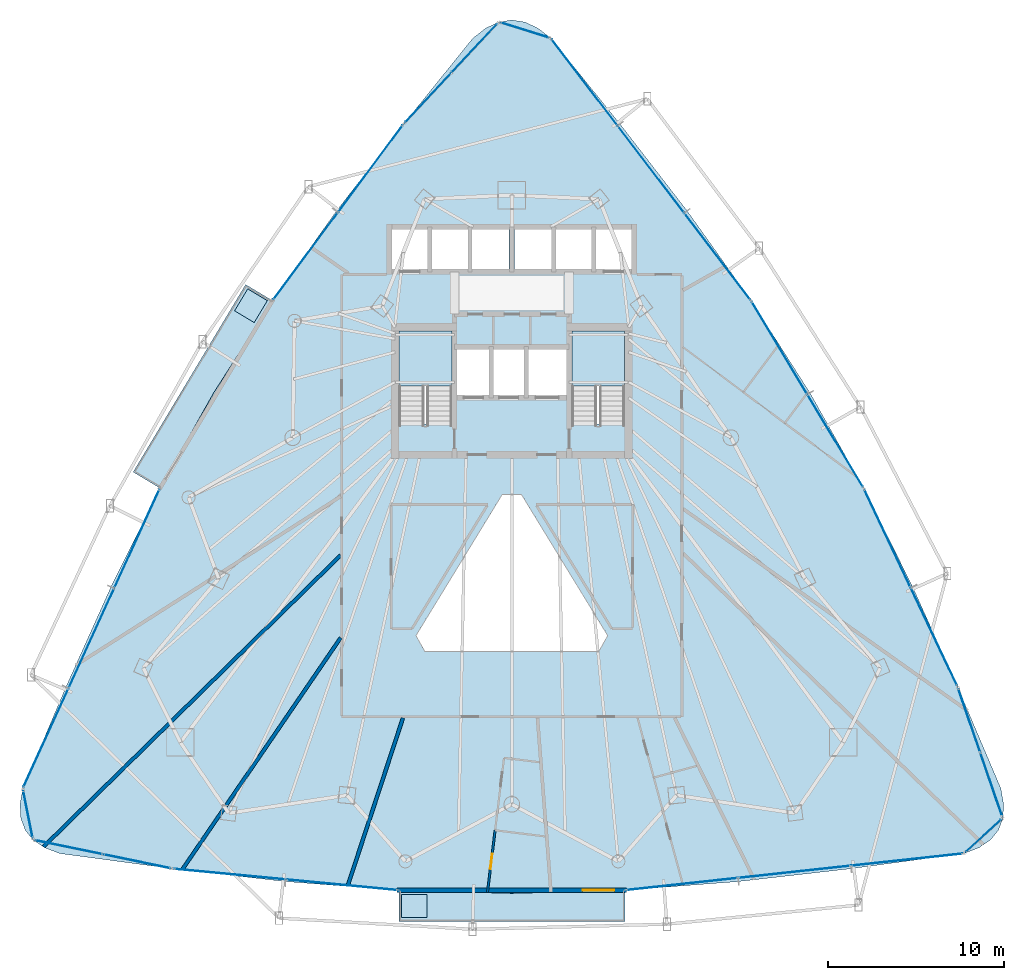
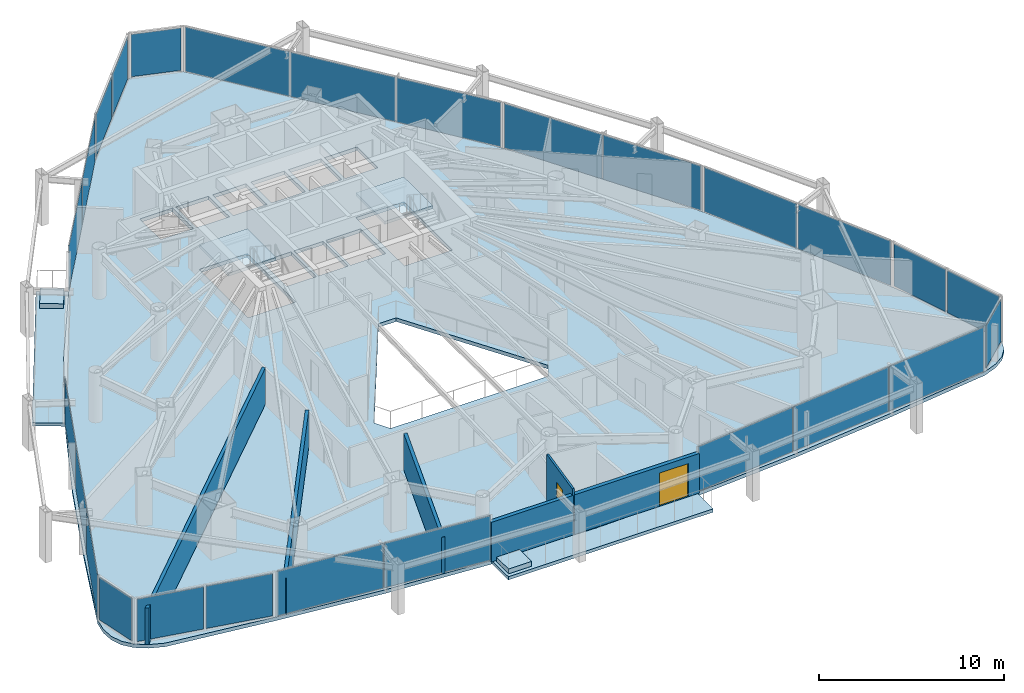
# One storey, part 28 of 34: 26 plates, 7 slabs, 5 walls, 2 doors, 2 openings, 15 elements without a shape of their own.
"""IFC4 building model written with IfcOpenShell, lengths in metres."""

from ifc_helpers import new_model, si_unit, direction, frame, frame_2d, origin, origin_2d, place, context, subcontext, project, spatial, polyline, rectangle, outline, extrude, material, layer, layer_set, type_object, element, fill, aggregate, save


model = new_model("IFC4")

# Units and contexts
model_context = context("Model", 3, precision=1e-05, world=origin(), true_north=direction((0.0, 1.0)))
body_context = subcontext(model_context, "Body", "Model", "MODEL_VIEW")
ifc_project = project(units=[si_unit("LENGTHUNIT", "METRE"), si_unit("AREAUNIT", "SQUARE_METRE"), si_unit("VOLUMEUNIT", "CUBIC_METRE"), si_unit("PLANEANGLEUNIT", "RADIAN"), si_unit("MASSUNIT", "GRAM", prefix="KILO")], contexts=[model_context])

# Site, building, storey
site_placement = place(None, origin())
site = spatial("IfcSite", under=ifc_project, at=site_placement, CompositionType="ELEMENT")
building_placement = place(site_placement, origin())
building = spatial("IfcBuilding", under=site, at=building_placement, Name="Orvanel Arch Residences", CompositionType="ELEMENT")
storey_placement = place(building_placement, frame((0.0, 0.0, 67.550048828125)))
storey = spatial("IfcBuildingStorey", under=building, at=storey_placement, Name="L18", CompositionType="ELEMENT", Elevation=67.550048828125)

# Curtain wall, plates
ifc_material_1 = material(Name="Bronze-anodised aluminium AA6063-T6", Category="aluminium")
ifc_layer_1 = layer(ifc_material_1, 0.179931640625)
ifc_layer_set_1 = layer_set([ifc_layer_1], Name="Bronze-anodised aluminium AA6063-T6")
curtain_wall_type_1 = type_object("IfcCurtainWallType", Name="CW2-LOW-SYS", PredefinedType="NOTDEFINED", material=ifc_layer_set_1)
curtain_wall_1_placement = place(storey_placement, origin())
curtain_wall_1 = element("IfcCurtainWall", 1, at=curtain_wall_1_placement, inside=storey, type_object=curtain_wall_type_1, Name="L18 CW2-LOW-SYS Unitised Curtain Wall", PredefinedType="NOTDEFINED")
ifc_material_2 = material(Name="Double-glazed solar-control low-E safety glass", Category="glass")
ifc_layer_2 = layer(ifc_material_2, 0.028076171875)
ifc_layer_set_2 = layer_set([ifc_layer_2], Name="Double-glazed solar-control low-E safety glass")
plate_type_1 = type_object("IfcPlateType", Name="PNL-GLZ-28", PredefinedType="CURTAIN_PANEL", material=ifc_layer_set_2)
plate_1_placement = place(storey_placement, frame((24.97900390625, 42.90234375, 0.06005859375), z_axis=(0.0, 0.0, 1.0), x_axis=(-0.596000950722, -0.802983727568, 0.0)))
plate_1 = element("IfcPlate", 2, at=plate_1_placement, type_object=plate_type_1, Name="CW-S2 panel 1.1", PredefinedType="CURTAIN_PANEL", context=body_context, shape_type="SweptSolid", body=[
    extrude(rectangle(XDim=6.108154296875, YDim=0.028076171875, at=origin_2d()), origin(), (0.0, 0.0, 1.0), 2.93994140625),
])
plate_2_placement = place(storey_placement, frame((21.296875, 37.941650390625, 0.06005859375), z_axis=(0.0, 0.0, 1.0), x_axis=(-0.596000950722, -0.802983727568, 0.0)))
plate_2 = element("IfcPlate", 3, at=plate_2_placement, type_object=plate_type_1, Name="CW-S2 panel 2.1", PredefinedType="CURTAIN_PANEL", context=body_context, shape_type="SweptSolid", body=[
    extrude(rectangle(XDim=6.108154296875, YDim=0.028076171875, at=origin_2d()), origin(), (0.0, 0.0, 1.0), 2.93994140625),
])
aggregate(curtain_wall_1, [plate_1, plate_2])

curtain_wall_2_placement = place(storey_placement, origin())
curtain_wall_2 = element("IfcCurtainWall", 4, at=curtain_wall_2_placement, inside=storey, type_object=curtain_wall_type_1, Name="L18 CW2-LOW-SYS Unitised Curtain Wall", PredefinedType="NOTDEFINED")
plate_3_placement = place(storey_placement, frame((11.73095703125, 21.910400390625, 0.06005859375), z_axis=(0.0, 0.0, 1.0), x_axis=(-0.415688938305, -0.909506848006, 0.0)))
plate_3 = element("IfcPlate", 5, at=plate_3_placement, type_object=plate_type_1, Name="CW-S2 panel 1.1", PredefinedType="CURTAIN_PANEL", context=body_context, shape_type="SweptSolid", body=[
    extrude(rectangle(XDim=6.1240234375, YDim=0.028076171875, at=origin_2d()), origin(), (0.0, 0.0, 1.0), 2.93994140625),
])
plate_4_placement = place(storey_placement, frame((9.14892578125, 16.260986328125, 0.06005859375), z_axis=(0.0, 0.0, 1.0), x_axis=(-0.415688938305, -0.909506848006, 0.0)))
plate_4 = element("IfcPlate", 6, at=plate_4_placement, type_object=plate_type_1, Name="CW-S2 panel 2.1", PredefinedType="CURTAIN_PANEL", context=body_context, shape_type="SweptSolid", body=[
    extrude(rectangle(XDim=6.158935546875, YDim=0.028076171875, at=origin_2d()), origin(), (0.0, 0.0, 1.0), 2.93994140625),
])
plate_5_placement = place(storey_placement, frame((6.56689453125, 10.611572265625, 0.06005859375), z_axis=(0.0, 0.0, 1.0), x_axis=(-0.415688938305, -0.909506848006, 0.0)))
plate_5 = element("IfcPlate", 7, at=plate_5_placement, type_object=plate_type_1, Name="CW-S2 panel 3.1", PredefinedType="CURTAIN_PANEL", context=body_context, shape_type="SweptSolid", body=[
    extrude(rectangle(XDim=6.1240234375, YDim=0.028076171875, at=origin_2d()), origin(), (0.0, 0.0, 1.0), 2.93994140625),
])
aggregate(curtain_wall_2, [plate_3, plate_4, plate_5])

curtain_wall_3_placement = place(storey_placement, origin())
curtain_wall_3 = element("IfcCurtainWall", 8, at=curtain_wall_3_placement, inside=storey, type_object=curtain_wall_type_1, Name="L18 CW2-LOW-SYS Unitised Curtain Wall", PredefinedType="NOTDEFINED")
plate_6_placement = place(storey_placement, frame((16.994873046875, 2.8798828125, 0.06005859375), z_axis=(0.0, 0.0, 1.0), x_axis=(0.995493372806, -0.094831137816, 0.0)))
plate_6 = element("IfcPlate", 9, at=plate_6_placement, type_object=plate_type_1, Name="CW-S2 panel 1.1", PredefinedType="CURTAIN_PANEL", context=body_context, shape_type="SweptSolid", body=[
    extrude(rectangle(XDim=6.31689453125, YDim=0.028076171875, at=origin_2d()), origin(), (0.0, 0.0, 1.0), 2.93994140625),
])
plate_7_placement = place(storey_placement, frame((23.35302734375, 2.274169921875, 0.06005859375), z_axis=(0.0, 0.0, 1.0), x_axis=(0.995493372806, -0.094831137816, 0.0)))
plate_7 = element("IfcPlate", 10, at=plate_7_placement, type_object=plate_type_1, Name="CW-S2 panel 2.1", PredefinedType="CURTAIN_PANEL", context=body_context, shape_type="SweptSolid", body=[
    extrude(rectangle(XDim=6.31689453125, YDim=0.028076171875, at=origin_2d()), origin(), (0.0, 0.0, 1.0), 2.93994140625),
])
aggregate(curtain_wall_3, [plate_6, plate_7])

curtain_wall_4_placement = place(storey_placement, origin())
curtain_wall_4 = element("IfcCurtainWall", 11, at=curtain_wall_4_placement, inside=storey, type_object=curtain_wall_type_1, Name="L18 CW2-LOW-SYS Unitised Curtain Wall", PredefinedType="NOTDEFINED")
plate_8_placement = place(storey_placement, frame((42.650146484375, 2.31689453125, 0.06005859375), z_axis=(0.0, 0.0, 1.0), x_axis=(0.994171399622, 0.107811076303, 0.0)))
plate_8 = element("IfcPlate", 12, at=plate_8_placement, type_object=plate_type_1, Name="CW-S2 panel 1.1", PredefinedType="CURTAIN_PANEL", context=body_context, shape_type="SweptSolid", body=[
    extrude(rectangle(XDim=6.332275390625, YDim=0.028076171875, at=origin_2d()), origin(), (0.0, 0.0, 1.0), 2.93994140625),
])
plate_9_placement = place(storey_placement, frame((49.032470703125, 3.009033203125, 0.06005859375), z_axis=(0.0, 0.0, 1.0), x_axis=(0.994171399622, 0.107811076303, 0.0)))
plate_9 = element("IfcPlate", 13, at=plate_9_placement, type_object=plate_type_1, Name="CW-S2 panel 2.1", PredefinedType="CURTAIN_PANEL", context=body_context, shape_type="SweptSolid", body=[
    extrude(rectangle(XDim=6.3671875, YDim=0.028076171875, at=origin_2d()), origin(), (0.0, 0.0, 1.0), 2.93994140625),
])
plate_10_placement = place(storey_placement, frame((55.414794921875, 3.701171875, 0.06005859375), z_axis=(0.0, 0.0, 1.0), x_axis=(0.994171399622, 0.107811076303, 0.0)))
plate_10 = element("IfcPlate", 14, at=plate_10_placement, type_object=plate_type_1, Name="CW-S2 panel 3.1", PredefinedType="CURTAIN_PANEL", context=body_context, shape_type="SweptSolid", body=[
    extrude(rectangle(XDim=6.332275390625, YDim=0.028076171875, at=origin_2d()), origin(), (0.0, 0.0, 1.0), 2.93994140625),
])
aggregate(curtain_wall_4, [plate_8, plate_9, plate_10])

curtain_wall_5_placement = place(storey_placement, origin())
curtain_wall_5 = element("IfcCurtainWall", 15, at=curtain_wall_5_placement, inside=storey, type_object=curtain_wall_type_1, Name="L18 CW2-LOW-SYS Unitised Curtain Wall", PredefinedType="NOTDEFINED")
plate_11_placement = place(storey_placement, frame((56.947509765625, 16.350830078125, 0.06005859375), z_axis=(0.0, 0.0, 1.0), x_axis=(-0.427795745036, 0.903875434189, 0.0)))
plate_11 = element("IfcPlate", 16, at=plate_11_placement, type_object=plate_type_1, Name="CW-S2 panel 1.1", PredefinedType="CURTAIN_PANEL", context=body_context, shape_type="SweptSolid", body=[
    extrude(rectangle(XDim=6.108154296875, YDim=0.028076171875, at=origin_2d()), origin(), (0.0, 0.0, 1.0), 2.93994140625),
])
plate_12_placement = place(storey_placement, frame((54.304443359375, 21.935302734375, 0.06005859375), z_axis=(0.0, 0.0, 1.0), x_axis=(-0.427795745036, 0.903875434189, 0.0)))
plate_12 = element("IfcPlate", 17, at=plate_12_placement, type_object=plate_type_1, Name="CW-S2 panel 2.1", PredefinedType="CURTAIN_PANEL", context=body_context, shape_type="SweptSolid", body=[
    extrude(rectangle(XDim=6.108154296875, YDim=0.028076171875, at=origin_2d()), origin(), (0.0, 0.0, 1.0), 2.93994140625),
])
aggregate(curtain_wall_5, [plate_11, plate_12])

curtain_wall_6_placement = place(storey_placement, origin())
curtain_wall_6 = element("IfcCurtainWall", 18, at=curtain_wall_6_placement, inside=storey, type_object=curtain_wall_type_1, Name="L18 CW2-LOW-SYS Unitised Curtain Wall", PredefinedType="NOTDEFINED")
plate_13_placement = place(storey_placement, frame((51.349609375, 27.46044921875, 0.06005859375), z_axis=(0.0, 0.0, 1.0), x_axis=(-0.514400628533, 0.857549994674, 0.0)))
plate_13 = element("IfcPlate", 19, at=plate_13_placement, type_object=plate_type_1, Name="CW-S2 panel 1.1", PredefinedType="CURTAIN_PANEL", context=body_context, shape_type="SweptSolid", body=[
    extrude(rectangle(XDim=6.078857421875, YDim=0.028076171875, at=origin_2d()), origin(), (0.0, 0.0, 1.0), 2.93994140625),
])
plate_14_placement = place(storey_placement, frame((48.1865234375, 32.7333984375, 0.06005859375), z_axis=(0.0, 0.0, 1.0), x_axis=(-0.514400628533, 0.857549994674, 0.0)))
plate_14 = element("IfcPlate", 20, at=plate_14_placement, type_object=plate_type_1, Name="CW-S2 panel 2.1", PredefinedType="CURTAIN_PANEL", context=body_context, shape_type="SweptSolid", body=[
    extrude(rectangle(XDim=6.078857421875, YDim=0.028076171875, at=origin_2d()), origin(), (0.0, 0.0, 1.0), 2.93994140625),
])
aggregate(curtain_wall_6, [plate_13, plate_14])

curtain_wall_7_placement = place(storey_placement, origin())
curtain_wall_7 = element("IfcCurtainWall", 21, at=curtain_wall_7_placement, inside=storey, type_object=curtain_wall_type_1, Name="L18 CW2-LOW-SYS Unitised Curtain Wall", PredefinedType="NOTDEFINED")
plate_15_placement = place(storey_placement, frame((44.664794921875, 37.922607421875, 0.06005859375), z_axis=(0.0, 0.0, 1.0), x_axis=(-0.606742733122, 0.794898267581, 0.0)))
plate_15 = element("IfcPlate", 22, at=plate_15_placement, type_object=plate_type_1, Name="CW-S2 panel 1.1", PredefinedType="CURTAIN_PANEL", context=body_context, shape_type="SweptSolid", body=[
    extrude(rectangle(XDim=6.123779296875, YDim=0.028076171875, at=origin_2d()), origin(), (0.0, 0.0, 1.0), 2.93994140625),
])
plate_16_placement = place(storey_placement, frame((40.89599609375, 42.860107421875, 0.06005859375), z_axis=(0.0, 0.0, 1.0), x_axis=(-0.606742733122, 0.794898267581, 0.0)))
plate_16 = element("IfcPlate", 23, at=plate_16_placement, type_object=plate_type_1, Name="CW-S2 panel 2.1", PredefinedType="CURTAIN_PANEL", context=body_context, shape_type="SweptSolid", body=[
    extrude(rectangle(XDim=6.158935546875, YDim=0.028076171875, at=origin_2d()), origin(), (0.0, 0.0, 1.0), 2.93994140625),
])
plate_17_placement = place(storey_placement, frame((37.127197265625, 47.79736328125, 0.06005859375), z_axis=(0.0, 0.0, 1.0), x_axis=(-0.606742733122, 0.794898267581, 0.0)))
plate_17 = element("IfcPlate", 24, at=plate_17_placement, type_object=plate_type_1, Name="CW-S2 panel 3.1", PredefinedType="CURTAIN_PANEL", context=body_context, shape_type="SweptSolid", body=[
    extrude(rectangle(XDim=6.123779296875, YDim=0.028076171875, at=origin_2d()), origin(), (0.0, 0.0, 1.0), 2.93994140625),
])
aggregate(curtain_wall_7, [plate_15, plate_16, plate_17])

# Curtain wall, plate
ifc_layer_3 = layer(ifc_material_1, 0.18994140625)
ifc_layer_set_3 = layer_set([ifc_layer_3], Name="Bronze-anodised aluminium AA6063-T6")
curtain_wall_type_2 = type_object("IfcCurtainWallType", Name="CW5-CRN-SYS", PredefinedType="NOTDEFINED", material=ifc_layer_set_3)
curtain_wall_8_placement = place(storey_placement, origin())
curtain_wall_8 = element("IfcCurtainWall", 25, at=curtain_wall_8_placement, inside=storey, type_object=curtain_wall_type_2, Name="L18 CW5-CRN-SYS Unitised Curtain Wall", PredefinedType="NOTDEFINED")
ifc_layer_4 = layer(ifc_material_2, 0.031982421875)
ifc_layer_set_4 = layer_set([ifc_layer_4], Name="Double-glazed solar-control low-E safety glass")
plate_type_2 = type_object("IfcPlateType", Name="PNL-GLZ-32", PredefinedType="CURTAIN_PANEL", material=ifc_layer_set_4)
plate_18_placement = place(storey_placement, frame((33.738525390625, 50.762451171875, 0.1298828125), z_axis=(0.0, 0.0, 1.0), x_axis=(-0.954846451837, 0.297099736477, 0.0)))
plate_18 = element("IfcPlate", 26, at=plate_18_placement, type_object=plate_type_2, Name="CW-S5 panel 1.1", PredefinedType="CURTAIN_PANEL", context=body_context, shape_type="SweptSolid", body=[
    extrude(rectangle(XDim=2.7529296875, YDim=0.031982421875, at=origin_2d()), origin(), (0.0, 0.0, 1.0), 2.800048828125),
])
aggregate(curtain_wall_8, [plate_18])

# Curtain wall, plates
curtain_wall_9_placement = place(storey_placement, origin())
curtain_wall_9 = element("IfcCurtainWall", 27, at=curtain_wall_9_placement, inside=storey, type_object=curtain_wall_type_2, Name="L18 CW5-CRN-SYS Unitised Curtain Wall", PredefinedType="NOTDEFINED")
plate_19_placement = place(storey_placement, frame((30.877197265625, 49.73828125, 0.1298828125), z_axis=(0.0, 0.0, 1.0), x_axis=(-0.682340840105, -0.731034183828, 0.0)))
plate_19 = element("IfcPlate", 28, at=plate_19_placement, type_object=plate_type_2, Name="CW-S5 panel 1.1", PredefinedType="CURTAIN_PANEL", context=body_context, shape_type="SweptSolid", body=[
    extrude(rectangle(XDim=3.718017578125, YDim=0.031982421875, at=origin_2d()), origin(), (0.0, 0.0, 1.0), 2.800048828125),
])
plate_20_placement = place(storey_placement, frame((28.23779296875, 46.91064453125, 0.1298828125), z_axis=(0.0, 0.0, 1.0), x_axis=(-0.682340840105, -0.731034183828, 0.0)))
plate_20 = element("IfcPlate", 29, at=plate_20_placement, type_object=plate_type_2, Name="CW-S5 panel 2.1", PredefinedType="CURTAIN_PANEL", context=body_context, shape_type="SweptSolid", body=[
    extrude(rectangle(XDim=3.718017578125, YDim=0.031982421875, at=origin_2d()), origin(), (0.0, 0.0, 1.0), 2.800048828125),
])
aggregate(curtain_wall_9, [plate_19, plate_20])

# Curtain wall, plate
curtain_wall_10_placement = place(storey_placement, origin())
curtain_wall_10 = element("IfcCurtainWall", 30, at=curtain_wall_10_placement, inside=storey, type_object=curtain_wall_type_2, Name="L18 CW5-CRN-SYS Unitised Curtain Wall", PredefinedType="NOTDEFINED")
plate_21_placement = place(storey_placement, frame((5.548583984375, 6.284423828125, 0.1298828125), z_axis=(0.0, 0.0, 1.0), x_axis=(0.195723363495, -0.980659148217, 0.0)))
plate_21 = element("IfcPlate", 31, at=plate_21_placement, type_object=plate_type_2, Name="CW-S5 panel 1.1", PredefinedType="CURTAIN_PANEL", context=body_context, shape_type="SweptSolid", body=[
    extrude(rectangle(XDim=2.637939453125, YDim=0.031982421875, at=origin_2d()), origin(), (0.0, 0.0, 1.0), 2.800048828125),
])
aggregate(curtain_wall_10, [plate_21])

# Curtain wall, plates
curtain_wall_11_placement = place(storey_placement, origin())
curtain_wall_11 = element("IfcCurtainWall", 32, at=curtain_wall_11_placement, inside=storey, type_object=curtain_wall_type_2, Name="L18 CW5-CRN-SYS Unitised Curtain Wall", PredefinedType="NOTDEFINED")
plate_22_placement = place(storey_placement, frame((7.866943359375, 4.405517578125, 0.1298828125), z_axis=(0.0, 0.0, 1.0), x_axis=(0.979323283522, -0.202301523353, 0.0)))
plate_22 = element("IfcPlate", 33, at=plate_22_placement, type_object=plate_type_2, Name="CW-S5 panel 1.1", PredefinedType="CURTAIN_PANEL", context=body_context, shape_type="SweptSolid", body=[
    extrude(rectangle(XDim=3.798583984375, YDim=0.031982421875, at=origin_2d()), origin(), (0.0, 0.0, 1.0), 2.800048828125),
])
plate_23_placement = place(storey_placement, frame((11.734130859375, 3.606689453125, 0.1298828125), z_axis=(0.0, 0.0, 1.0), x_axis=(0.979323283522, -0.202301523353, 0.0)))
plate_23 = element("IfcPlate", 34, at=plate_23_placement, type_object=plate_type_2, Name="CW-S5 panel 2.1", PredefinedType="CURTAIN_PANEL", context=body_context, shape_type="SweptSolid", body=[
    extrude(rectangle(XDim=3.798583984375, YDim=0.031982421875, at=origin_2d()), origin(), (0.0, 0.0, 1.0), 2.800048828125),
])
aggregate(curtain_wall_11, [plate_22, plate_23])

# Curtain wall, plate
curtain_wall_12_placement = place(storey_placement, origin())
curtain_wall_12 = element("IfcCurtainWall", 35, at=curtain_wall_12_placement, inside=storey, type_object=curtain_wall_type_2, Name="L18 CW5-CRN-SYS Unitised Curtain Wall", PredefinedType="NOTDEFINED")
plate_24_placement = place(storey_placement, frame((59.75439453125, 5.053466796875, 0.1298828125), z_axis=(0.0, 0.0, 1.0), x_axis=(0.73998625585, 0.672621989793, 0.0)))
plate_24 = element("IfcPlate", 36, at=plate_24_placement, type_object=plate_type_2, Name="CW-S5 panel 1.1", PredefinedType="CURTAIN_PANEL", context=body_context, shape_type="SweptSolid", body=[
    extrude(rectangle(XDim=2.63916015625, YDim=0.031982421875, at=origin_2d()), origin(), (0.0, 0.0, 1.0), 2.800048828125),
])
aggregate(curtain_wall_12, [plate_24])

# Curtain wall, plates
curtain_wall_13_placement = place(storey_placement, origin())
curtain_wall_13 = element("IfcCurtainWall", 37, at=curtain_wall_13_placement, inside=storey, type_object=curtain_wall_type_2, Name="L18 CW5-CRN-SYS Unitised Curtain Wall", PredefinedType="NOTDEFINED")
plate_25_placement = place(storey_placement, frame((60.2001953125, 7.96337890625, 0.1298828125), z_axis=(0.0, 0.0, 1.0), x_axis=(-0.325165297425, 0.945657194416, 0.0)))
plate_25 = element("IfcPlate", 38, at=plate_25_placement, type_object=plate_type_2, Name="CW-S5 panel 1.1", PredefinedType="CURTAIN_PANEL", context=body_context, shape_type="SweptSolid", body=[
    extrude(rectangle(XDim=3.696044921875, YDim=0.031982421875, at=origin_2d()), origin(), (0.0, 0.0, 1.0), 2.800048828125),
])
plate_26_placement = place(storey_placement, frame((58.94970703125, 11.6005859375, 0.1298828125), z_axis=(0.0, 0.0, 1.0), x_axis=(-0.325165297425, 0.945657194416, 0.0)))
plate_26 = element("IfcPlate", 39, at=plate_26_placement, type_object=plate_type_2, Name="CW-S5 panel 2.1", PredefinedType="CURTAIN_PANEL", context=body_context, shape_type="SweptSolid", body=[
    extrude(rectangle(XDim=3.696044921875, YDim=0.031982421875, at=origin_2d()), origin(), (0.0, 0.0, 1.0), 2.800048828125),
])
aggregate(curtain_wall_13, [plate_25, plate_26])

# Slabs
ifc_material_3 = material(Name="Concrete N40 (40 MPa)", Category="concrete")
ifc_layer_5 = layer(ifc_material_3, 0.215087890625)
ifc_layer_set_5 = layer_set([ifc_layer_5], Name="Concrete N40 (40 MPa)")
slab_type_1 = type_object("IfcSlabType", Name="SLB-BAL-215", PredefinedType="FLOOR", material=ifc_layer_set_5)
slab_1_placement = place(storey_placement, frame((0.0, 0.0, -0.215087890625)))
element("IfcSlab", 40, at=slab_1_placement, inside=storey, type_object=slab_type_1, Name="L18 Cantilevered Balcony Slab Face 1", PredefinedType="FLOOR", context=body_context, shape_type="SweptSolid", body=[
    extrude(outline(polyline([(17.89697265625, 36.33203125), (11.514892578125, 25.693115234375), (13.041015625, 24.777099609375), (16.0849609375, 30.18505859375), (19.423095703125, 35.4169921875), (17.89697265625, 36.33203125)])), origin(), (0.0, 0.0, 1.0), 0.215087890625),
])
slab_2_placement = place(storey_placement, frame((0.0, 0.0, -0.215087890625)))
element("IfcSlab", 41, at=slab_2_placement, inside=storey, type_object=slab_type_1, Name="L18 Cantilevered Balcony Slab Face 2", PredefinedType="FLOOR", context=body_context, shape_type="SweptSolid", body=[
    extrude(outline(polyline([(26.5869140625, 0.18603515625), (39.4130859375, 0.18603515625), (39.4130859375, 1.966064453125), (33.0, 1.7939453125), (26.5869140625, 1.966064453125), (26.5869140625, 0.18603515625)])), origin(), (0.0, 0.0, 1.0), 0.215087890625),
])

# Stair, slab
ifc_material_4 = material(Name="Precast concrete N50 (50 MPa)", Category="concrete")
stair_type = type_object("IfcStairType", Name="STR-DOG-184", PredefinedType="USERDEFINED", material=ifc_material_4)
stair_1_placement = place(storey_placement, origin())
stair_1 = element("IfcStair", 42, at=stair_1_placement, inside=storey, type_object=stair_type, Name="L18 Fire-Isolated Core Exit Stair 1", ObjectType="TWO_RETURN_STAIR", PredefinedType="USERDEFINED")
ifc_layer_6 = layer(ifc_material_3, 0.199951171875)
ifc_layer_set_6 = layer_set([ifc_layer_6], Name="Concrete N40 (40 MPa)")
slab_type_2 = type_object("IfcSlabType", Name="SLB-LND-200", PredefinedType="LANDING", material=ifc_layer_set_6)
slab_3_placement = place(storey_placement, frame((0.0, 0.0, 1.449951171875)))
slab_3 = element("IfcSlab", 43, at=slab_3_placement, type_object=slab_type_2, Name="ST-1 landing 1", PredefinedType="LANDING", context=body_context, shape_type="SweptSolid", body=[
    extrude(outline(polyline([(29.60009765625, 30.56005859375), (29.60009765625, 33.699951171875), (26.60009765625, 33.699951171875), (26.60009765625, 30.56005859375), (29.60009765625, 30.56005859375)])), origin(), (0.0, 0.0, 1.0), 0.199951171875),
])
aggregate(stair_1, [slab_3])

stair_2_placement = place(storey_placement, origin())
stair_2 = element("IfcStair", 44, at=stair_2_placement, inside=storey, type_object=stair_type, Name="L18 Fire-Isolated Core Exit Stair 2", ObjectType="TWO_RETURN_STAIR", PredefinedType="USERDEFINED")
slab_4_placement = place(storey_placement, frame((0.0, 0.0, 1.449951171875)))
slab_4 = element("IfcSlab", 45, at=slab_4_placement, type_object=slab_type_2, Name="ST-2 landing 1", PredefinedType="LANDING", context=body_context, shape_type="SweptSolid", body=[
    extrude(outline(polyline([(39.39990234375, 30.56005859375), (39.39990234375, 33.699951171875), (36.39990234375, 33.699951171875), (36.39990234375, 30.56005859375), (39.39990234375, 30.56005859375)])), origin(), (0.0, 0.0, 1.0), 0.199951171875),
])
aggregate(stair_2, [slab_4])

# Slabs
ifc_material_5 = material(Name="Structural architectural precast concrete N40 (40 MPa) planter", Category="concrete")
ifc_layer_7 = layer(ifc_material_5, 0.320068359375)
ifc_layer_set_7 = layer_set([ifc_layer_7], Name="Structural architectural precast concrete N40 (40 MPa) planter")
slab_type_3 = type_object("IfcSlabType", Name="SLB-PLN-320", PredefinedType="USERDEFINED", material=ifc_layer_set_7)
slab_5_placement = place(storey_placement, origin())
element("IfcSlab", 46, at=slab_5_placement, inside=storey, type_object=slab_type_3, Name="L18 Balcony TREE PLANTER Face 1", ObjectType="PLANTER", PredefinedType="USERDEFINED", context=body_context, shape_type="SweptSolid", body=[
    extrude(outline(polyline([(18.01708984375, 36.0849609375), (17.27099609375, 34.842041015625), (18.385986328125, 34.173095703125), (19.131103515625, 35.4169921875), (18.01708984375, 36.0849609375)])), origin(), (0.0, 0.0, 1.0), 0.320068359375),
])
slab_6_placement = place(storey_placement, origin())
element("IfcSlab", 47, at=slab_6_placement, inside=storey, type_object=slab_type_3, Name="L18 Balcony TREE PLANTER Face 2", ObjectType="PLANTER", PredefinedType="USERDEFINED", context=body_context, shape_type="SweptSolid", body=[
    extrude(outline(polyline([(26.737060546875, 0.416015625), (28.18701171875, 0.416015625), (28.18701171875, 1.716064453125), (26.737060546875, 1.716064453125), (26.737060546875, 0.416015625)])), origin(), (0.0, 0.0, 1.0), 0.320068359375),
])
ifc_layer_8 = layer(ifc_material_3, 0.239990234375)
ifc_layer_set_8 = layer_set([ifc_layer_8], Name="Concrete N40 (40 MPa)")
slab_type_4 = type_object("IfcSlabType", Name="SLB-TYP-240", PredefinedType="FLOOR", material=ifc_layer_set_8)
slab_7_placement = place(storey_placement, frame((0.0, 0.0, -0.239990234375)))
element("IfcSlab", 48, at=slab_7_placement, inside=storey, type_object=slab_type_4, Name="L18 Tower Floor Slab", PredefinedType="FLOOR", context=body_context, shape_type="SweptSolid", body=[
    extrude(outline(polyline([(35.215087890625, 50.302978515625), (34.47705078125, 50.876953125), (33.738037109375, 51.221923828125), (33.0, 51.3369140625), (32.261962890625, 51.221923828125), (31.52294921875, 50.876953125), (30.784912109375, 50.302978515625), (26.85302734375, 45.427001953125), (23.033935546875, 40.48388671875), (19.423095703125, 35.4169921875), (16.0849609375, 30.18505859375), (13.041015625, 24.777099609375), (10.27001953125, 19.2060546875), (7.70703125, 13.509033203125), (5.257080078125, 7.7451171875), (5.097900390625, 6.842041015625), (5.14306640625, 6.054931640625), (5.389892578125, 5.382080078125), (5.840087890625, 4.823974609375), (6.491943359375, 4.381103515625), (7.347900390625, 4.052001953125), (13.760986328125, 3.18798828125), (20.174072265625, 2.4560546875), (26.5869140625, 1.966064453125), (33.0, 1.7939453125), (39.4130859375, 1.966064453125), (45.825927734375, 2.4560546875), (52.239013671875, 3.18798828125), (58.652099609375, 4.052001953125), (59.508056640625, 4.381103515625), (60.159912109375, 4.823974609375), (60.610107421875, 5.382080078125), (60.85693359375, 6.054931640625), (60.902099609375, 6.842041015625), (60.742919921875, 7.7451171875), (58.29296875, 13.509033203125), (55.72998046875, 19.2060546875), (52.958984375, 24.777099609375), (49.9150390625, 30.18505859375), (46.576904296875, 35.4169921875), (42.966064453125, 40.48388671875), (39.14697265625, 45.427001953125), (35.215087890625, 50.302978515625)]), holes=[polyline([(26.60009765625, 28.429931640625), (26.60009765625, 33.699951171875), (29.60009765625, 33.699951171875), (29.60009765625, 28.429931640625), (26.60009765625, 28.429931640625)]), polyline([(36.39990234375, 28.429931640625), (36.39990234375, 33.699951171875), (39.39990234375, 33.699951171875), (39.39990234375, 28.429931640625), (36.39990234375, 28.429931640625)]), polyline([(29.89990234375, 32.64990234375), (31.75, 32.64990234375), (31.75, 29.949951171875), (29.89990234375, 29.949951171875), (29.89990234375, 32.64990234375)]), polyline([(31.89990234375, 32.64990234375), (33.75, 32.64990234375), (33.75, 29.949951171875), (31.89990234375, 29.949951171875), (31.89990234375, 32.64990234375)]), polyline([(33.89990234375, 32.64990234375), (36.10009765625, 32.64990234375), (36.10009765625, 29.949951171875), (33.89990234375, 29.949951171875), (33.89990234375, 32.64990234375)]), polyline([(26.199951171875, 39.449951171875), (28.25, 39.449951171875), (28.25, 37.199951171875), (26.199951171875, 37.199951171875), (26.199951171875, 39.449951171875)]), polyline([(37.75, 39.449951171875), (39.800048828125, 39.449951171875), (39.800048828125, 37.199951171875), (37.75, 37.199951171875), (37.75, 39.449951171875)]), polyline([(28.449951171875, 39.449951171875), (30.5, 39.449951171875), (30.5, 37.199951171875), (28.449951171875, 37.199951171875), (28.449951171875, 39.449951171875)]), polyline([(35.5, 39.449951171875), (37.550048828125, 39.449951171875), (37.550048828125, 37.199951171875), (35.5, 37.199951171875), (35.5, 39.449951171875)]), polyline([(30.75, 39.449951171875), (32.85009765625, 39.449951171875), (32.85009765625, 37.199951171875), (30.75, 37.199951171875), (30.75, 39.449951171875)]), polyline([(33.14990234375, 39.449951171875), (35.25, 39.449951171875), (35.25, 37.199951171875), (33.14990234375, 37.199951171875), (33.14990234375, 39.449951171875)]), polyline([(38.43994140625, 16.4130859375), (37.93505859375, 15.510986328125), (28.06494140625, 15.510986328125), (27.56005859375, 16.4130859375), (32.448974609375, 24.409912109375), (33.551025390625, 24.409912109375), (38.43994140625, 16.4130859375)])]), origin(), (0.0, 0.0, 1.0), 0.239990234375),
])

# Wall, opening, door
ifc_layer_9 = layer(ifc_material_4, 0.239990234375)
ifc_layer_set_9 = layer_set([ifc_layer_9], Name="Precast concrete N50 (50 MPa)")
wall_type_1 = type_object("IfcWallType", Name="EW-BAL-240", PredefinedType="SOLIDWALL", material=ifc_layer_set_9)
wall_1_placement = place(storey_placement, frame((26.489013671875, 1.966064453125, 0.0), z_axis=(0.0, 0.0, 1.0), x_axis=(1.0, 0.0, 0.0)))
wall_1 = element("IfcWall", 49, at=wall_1_placement, inside=storey, type_object=wall_type_1, Name="L18 Balcony Threshold Wall Face 2", PredefinedType="SOLIDWALL", context=body_context, shape_type="SweptSolid", body=[
    extrude(rectangle(XDim=13.02197265625, YDim=0.239990234375, at=frame_2d((6.510986328125, 0.0))), origin(), (0.0, 0.0, 1.0), 2.6240234375),
])
opening_1_placement = place(wall_1_placement, frame((10.52392578125, 0.0, 0.0)))
opening_1 = element("IfcOpeningElement", 50, at=opening_1_placement, cuts=wall_1, Name="Opening DB-180", PredefinedType="OPENING", context=body_context, shape_type="SweptSolid", body=[
    extrude(rectangle(XDim=1.800048828125, YDim=2.199951171875, at=frame_2d((0.89990234375, 1.10009765625))), frame((0.0, 0.1298828125, 0.0), z_axis=(0.0, -1.0, 0.0), x_axis=(1.0, 0.0, 0.0)), (0.0, 0.0, 1.0), 0.260009765625),
])
door_type_1 = type_object("IfcDoorType", Name="DR-BAL-1800", OperationType="NOTDEFINED", PredefinedType="DOOR", material=ifc_material_1)
door_1_placement = place(opening_1_placement, origin())
door_1 = element("IfcDoor", 51, at=door_1_placement, inside=storey, type_object=door_type_1, Name="DR-L18-BAL-F2 L18 Planted Balcony Access Door Face 2", OperationType="SINGLE_SWING_RIGHT", OverallHeight=2.199951171875, OverallWidth=1.800048828125, PredefinedType="DOOR", context=body_context, shape_type="SweptSolid", body=[
    extrude(rectangle(XDim=1.800048828125, YDim=2.199951171875, at=frame_2d((0.89990234375, 1.10009765625))), frame((0.0, 0.02490234375, 0.0), z_axis=(0.0, -1.0, 0.0), x_axis=(1.0, 0.0, 0.0)), (0.0, 0.0, 1.0), 0.050048828125),
])
fill(opening_1, door_1)

# Walls
ifc_material_6 = material(Name="Fire-rated plasterboard lined steel stud partition", Category="steel")
ifc_layer_10 = layer(ifc_material_6, 0.199951171875)
ifc_layer_set_10 = layer_set([ifc_layer_10], Name="Fire-rated plasterboard lined steel stud partition")
wall_type_2 = type_object("IfcWallType", Name="W-DEM-200", PredefinedType="PARTITIONING", material=ifc_layer_set_10)
wall_2_placement = place(storey_placement, frame((23.2900390625, 20.972900390625, 0.0), z_axis=(0.0, 0.0, 1.0), x_axis=(-0.713831483248, -0.70031750908, 0.0)))
element("IfcWall", 52, at=wall_2_placement, inside=storey, type_object=wall_type_2, Name="L18 Inter-Tenancy Acoustic Demising Wall", PredefinedType="PARTITIONING", context=body_context, shape_type="SweptSolid", body=[
    extrude(rectangle(XDim=23.612060546875, YDim=0.199951171875, at=frame_2d((11.80615234375, 0.0))), origin(), (0.0, 0.0, 1.0), 2.412841796875),
])
wall_3_placement = place(storey_placement, frame((23.2900390625, 16.291015625, 0.0), z_axis=(0.0, 0.0, 1.0), x_axis=(-0.564210182678, -0.825631194761, 0.0)))
element("IfcWall", 53, at=wall_3_placement, inside=storey, type_object=wall_type_2, Name="L18 Inter-Tenancy Acoustic Demising Wall", PredefinedType="PARTITIONING", context=body_context, shape_type="SweptSolid", body=[
    extrude(rectangle(XDim=15.928466796875, YDim=0.199951171875, at=frame_2d((7.96435546875, 0.0))), origin(), (0.0, 0.0, 1.0), 2.412841796875),
])
wall_4_placement = place(storey_placement, frame((23.68408203125, 2.201904296875, 0.0), z_axis=(0.0, 0.0, 1.0), x_axis=(0.31268804242, 0.949855877556, 0.0)))
element("IfcWall", 54, at=wall_4_placement, inside=storey, type_object=wall_type_2, Name="L18 Inter-Tenancy Acoustic Demising Wall", PredefinedType="PARTITIONING", context=body_context, shape_type="SweptSolid", body=[
    extrude(rectangle(XDim=10.04150390625, YDim=0.199951171875, at=frame_2d((5.020751953125, 0.0))), origin(), (0.0, 0.0, 1.0), 2.412841796875),
])

# Wall, opening, door
ifc_material_7 = material(Name="Acoustic plasterboard lined twin-stud partition", Category="gypsum")
ifc_layer_11 = layer(ifc_material_7, 0.1201171875)
ifc_layer_set_11 = layer_set([ifc_layer_11], Name="Acoustic plasterboard lined twin-stud partition")
wall_type_3 = type_object("IfcWallType", Name="W-WET-120", PredefinedType="PARTITIONING", material=ifc_layer_set_11)
wall_5_placement = place(storey_placement, frame((32.051025390625, 5.368896484375, 0.0), z_axis=(0.0, 0.0, 1.0), x_axis=(-0.122290707402, -0.992494323854, 0.0)))
wall_5 = element("IfcWall", 55, at=wall_5_placement, inside=storey, type_object=wall_type_3, Name="L18 Studio G Internal Partition", PredefinedType="PARTITIONING", context=body_context, shape_type="SweptSolid", body=[
    extrude(rectangle(XDim=3.549560546875, YDim=0.1201171875, at=frame_2d((1.77490234375, 0.0))), origin(), (0.0, 0.0, 1.0), 3.06005859375),
])
opening_2_placement = place(wall_5_placement, frame((1.3349609375, 0.0, 0.0)))
opening_2 = element("IfcOpeningElement", 56, at=opening_2_placement, cuts=wall_5, Name="Opening DI-088", PredefinedType="OPENING", context=body_context, shape_type="SweptSolid", body=[
    extrude(rectangle(XDim=0.8798828125, YDim=2.10009765625, at=frame_2d((0.43994140625, 1.050048828125))), frame((0.0, 0.070068359375, 0.0), z_axis=(0.0, -1.0, 0.0), x_axis=(1.0, 0.0, 0.0)), (0.0, 0.0, 1.0), 0.14013671875),
])
ifc_material_8 = material(Name="Solid-core European oak veneer fire door leaf", Category="wood")
door_type_2 = type_object("IfcDoorType", Name="DR-INT-880", OperationType="NOTDEFINED", PredefinedType="DOOR", material=ifc_material_8)
door_2_placement = place(opening_2_placement, origin())
door_2 = element("IfcDoor", 57, at=door_2_placement, inside=storey, type_object=door_type_2, Name="DR-L18-G-KIT L18 Studio G Kitchenette Door", OperationType="SINGLE_SWING_LEFT", OverallHeight=2.10009765625, OverallWidth=0.8798828125, PredefinedType="DOOR", context=body_context, shape_type="SweptSolid", body=[
    extrude(rectangle(XDim=0.8798828125, YDim=2.10009765625, at=frame_2d((0.43994140625, 1.050048828125))), frame((0.0, 0.02490234375, 0.0), z_axis=(0.0, -1.0, 0.0), x_axis=(1.0, 0.0, 0.0)), (0.0, 0.0, 1.0), 0.050048828125),
])
fill(opening_2, door_2)

save(model, "model.ifc")
